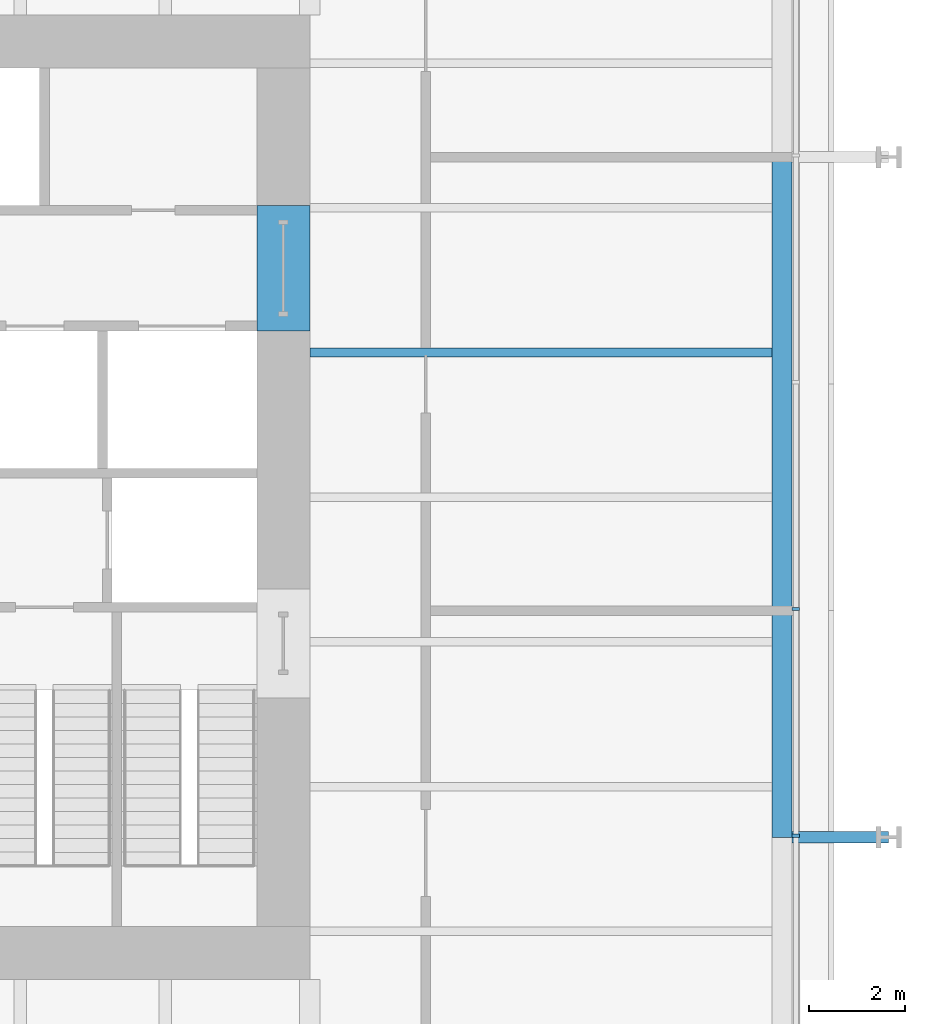
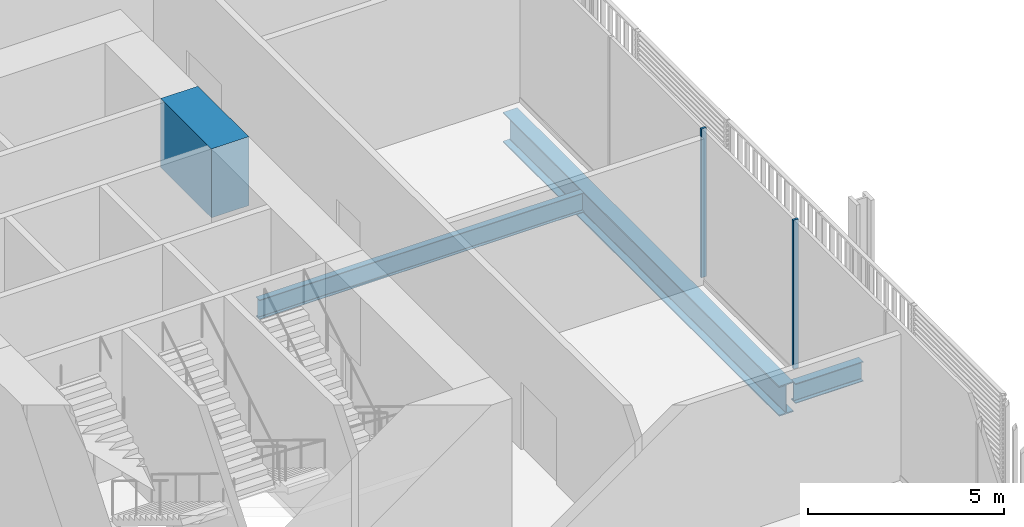
# One storey, part 9 of 22: 4 beams, 2 members, 1 element without a shape of its own.
"""IFC4 building model written with IfcOpenShell, lengths in metres."""

from ifc_helpers import new_model, si_unit, direction, frame, origin, origin_2d, place, context, subcontext, project, spatial, rectangle, i_section, extrude, material, layer, layer_set, material_profile, profile_set, type_object, element, aggregate, save


model = new_model("IFC4")

# Units and contexts
model_context = context("Model", 3, precision=1e-05, world=origin(), true_north=direction((0.0, 1.0)))
body_context = subcontext(model_context, "Body", "Model", "MODEL_VIEW")
ifc_project = project(units=[si_unit("LENGTHUNIT", "METRE"), si_unit("AREAUNIT", "SQUARE_METRE"), si_unit("VOLUMEUNIT", "CUBIC_METRE"), si_unit("PLANEANGLEUNIT", "RADIAN"), si_unit("MASSUNIT", "GRAM", prefix="KILO")], contexts=[model_context])

# Site, building, storey
site_placement = place(None, origin())
site = spatial("IfcSite", under=ifc_project, at=site_placement, CompositionType="ELEMENT")
building_placement = place(site_placement, origin())
building = spatial("IfcBuilding", under=site, at=building_placement, Name="Millrace Tower", CompositionType="ELEMENT")
storey_placement = place(building_placement, frame((0.0, 0.0, 59.300048828125)))
storey = spatial("IfcBuildingStorey", under=building, at=storey_placement, Name="L13", CompositionType="ELEMENT", Elevation=59.300048828125)

# Curtain wall, members
ifc_material_1 = material(Name="Aluminium and glass", Category="aluminium")
ifc_layer = layer(ifc_material_1, 0.14990234375)
ifc_layer_set = layer_set([ifc_layer], Name="Aluminium and glass")
curtain_wall_type = type_object("IfcCurtainWallType", Name="CW-2 data hall insulated curtain wall", PredefinedType="NOTDEFINED", material=ifc_layer_set)
curtain_wall_placement = place(storey_placement, origin())
curtain_wall = element("IfcCurtainWall", 1, at=curtain_wall_placement, inside=storey, type_object=curtain_wall_type, Name="Curtain wall A-F04 L13", PredefinedType="NOTDEFINED")
ifc_material_2 = material(Name="Aluminium", Category="aluminium")
ifc_material_profile_1 = material_profile(ifc_material_2, rectangle(XDim=0.06494140625, YDim=0.14990234375, at=origin_2d()))
ifc_profile_set_1 = profile_set([ifc_material_profile_1], Name="Aluminium")
member_type = type_object("IfcMemberType", Name="CW-2 data hall insulated curtain wall mullion", PredefinedType="MULLION", material=ifc_profile_set_1)
member_1_placement = place(storey_placement, frame((25.074951171875, -7.017578125, 0.159912109375), z_axis=(0.0, 0.0, 1.0), x_axis=(0.0, 1.0, 0.0)))
member_1 = element("IfcMember", 2, at=member_1_placement, type_object=member_type, Name="CW2 mullion A-F04.4", PredefinedType="MULLION", context=body_context, shape_type="SweptSolid", body=[
    extrude(rectangle(XDim=0.06494140625, YDim=0.14990234375, at=origin_2d()), origin(), (0.0, 0.0, 1.0), 4.64013671875),
])
member_2_placement = place(storey_placement, frame((25.074951171875, -2.3173828125, 0.159912109375), z_axis=(0.0, 0.0, 1.0), x_axis=(0.0, 1.0, 0.0)))
member_2 = element("IfcMember", 3, at=member_2_placement, type_object=member_type, Name="CW2 mullion A-F04.5", PredefinedType="MULLION", context=body_context, shape_type="SweptSolid", body=[
    extrude(rectangle(XDim=0.06494140625, YDim=0.14990234375, at=origin_2d()), origin(), (0.0, 0.0, 1.0), 4.64013671875),
])
aggregate(curtain_wall, [member_1, member_2])

# Beams
ifc_material_3 = material(Name="Concrete C80", Category="concrete")
ifc_material_profile_2 = material_profile(ifc_material_3, rectangle(XDim=1.10009765625, YDim=2.14990234375, at=origin_2d()))
ifc_profile_set_2 = profile_set([ifc_material_profile_2], Name="Concrete C80")
beam_type_1 = type_object("IfcBeamType", Name="Coupling beam 1100 x 2150 Concrete C80, 2000 opening", PredefinedType="BEAM", material=ifc_profile_set_2)
beam_1_placement = place(storey_placement, frame((14.449951171875, 6.050048828125, 3.474853515625), z_axis=(0.0, -1.0, 0.0), x_axis=(1.0, 0.0, 0.0)))
element("IfcBeam", 4, at=beam_1_placement, inside=storey, type_object=beam_type_1, Name="Coupling beam E L13", PredefinedType="BEAM", context=body_context, shape_type="SweptSolid", body=[
    extrude(rectangle(XDim=1.10009765625, YDim=2.14990234375, at=origin_2d()), origin(), (0.0, 0.0, 1.0), 2.60009765625),
])
ifc_material_4 = material(Name="Steel ASTM A992 Grade 50", Category="steel")
ifc_material_profile_3 = material_profile(ifc_material_4, i_section(OverallWidth=0.1787109375, OverallDepth=0.60205078125, WebThickness=0.010986328125, FlangeThickness=0.014892578125, FilletRadius=0.0126953125, at=origin_2d()))
ifc_profile_set_3 = profile_set([ifc_material_profile_3], Name="Steel ASTM A992 Grade 50")
beam_type_2 = type_object("IfcBeamType", Name="Floor beam W24x62", PredefinedType="JOIST", material=ifc_profile_set_3)
beam_2_placement = place(storey_placement, frame((15.0, 3.0, -0.526123046875), z_axis=(1.0, 0.0, 0.0), x_axis=(0.0, 1.0, 0.0)))
element("IfcBeam", 5, at=beam_2_placement, inside=storey, type_object=beam_type_2, Name="BM-A-L13-S1-S025", PredefinedType="JOIST", context=body_context, shape_type="SweptSolid", body=[
    extrude(i_section(OverallWidth=0.1787109375, OverallDepth=0.60205078125, WebThickness=0.010986328125, FlangeThickness=0.014892578125, FilletRadius=0.0126953125, at=origin_2d()), origin(), (0.0, 0.0, 1.0), 9.578369140625),
])
ifc_material_5 = material(Name="Steel ASTM A992 Grade 50", Category="steel")
ifc_material_profile_4 = material_profile(ifc_material_5, i_section(OverallWidth=0.23046875, OverallDepth=0.6171875, WebThickness=0.01318359375, FlangeThickness=0.022216796875, FilletRadius=0.012939453125, at=origin_2d()))
ifc_profile_set_4 = profile_set([ifc_material_profile_4], Name="Steel ASTM A992 Grade 50")
beam_type_3 = type_object("IfcBeamType", Name="Link beam W24x94", PredefinedType="BEAM", material=ifc_profile_set_4)
beam_3_placement = place(storey_placement, frame((25.0, -7.050048828125, -0.53369140625), z_axis=(1.0, 0.0, 0.0), x_axis=(0.0, 1.0, 0.0)))
element("IfcBeam", 6, at=beam_3_placement, inside=storey, type_object=beam_type_3, Name="LNK-A-L13-S1-11", PredefinedType="BEAM", context=body_context, shape_type="SweptSolid", body=[
    extrude(i_section(OverallWidth=0.23046875, OverallDepth=0.6171875, WebThickness=0.01318359375, FlangeThickness=0.022216796875, FilletRadius=0.012939453125, at=origin_2d()), origin(), (0.0, 0.0, 1.0), 2.0),
])
ifc_material_6 = material(Name="Steel ASTM A992 Grade 50", Category="steel")
ifc_material_profile_5 = material_profile(ifc_material_6, i_section(OverallWidth=0.421630859375, OverallDepth=0.937255859375, WebThickness=0.021240234375, FlangeThickness=0.03662109375, FilletRadius=0.024169921875, at=origin_2d()))
ifc_profile_set_5 = profile_set([ifc_material_profile_5], Name="Steel ASTM A992 Grade 50")
beam_type_4 = type_object("IfcBeamType", Name="Ring beam medium span W36x262", PredefinedType="SPANDREL", material=ifc_profile_set_5)
beam_4_placement = place(storey_placement, frame((24.7890625, 7.050048828125, -0.693603515625), z_axis=(0.0, -1.0, 0.0), x_axis=(1.0, 0.0, 0.0)))
element("IfcBeam", 7, at=beam_4_placement, inside=storey, type_object=beam_type_4, Name="RNG-A-L13-S1-10", PredefinedType="SPANDREL", context=body_context, shape_type="SweptSolid", body=[
    extrude(i_section(OverallWidth=0.421630859375, OverallDepth=0.937255859375, WebThickness=0.021240234375, FlangeThickness=0.03662109375, FilletRadius=0.024169921875, at=origin_2d()), origin(), (0.0, 0.0, 1.0), 14.10009765625),
])

save(model, "model.ifc")
